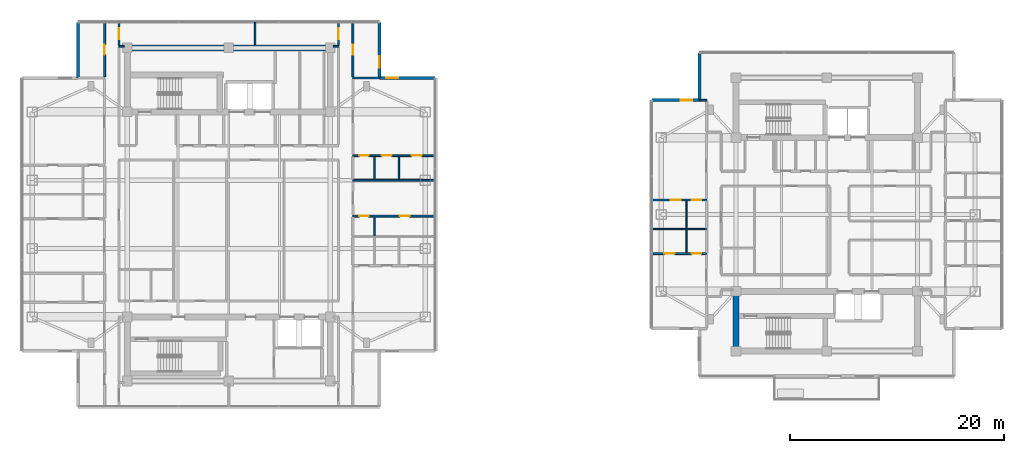
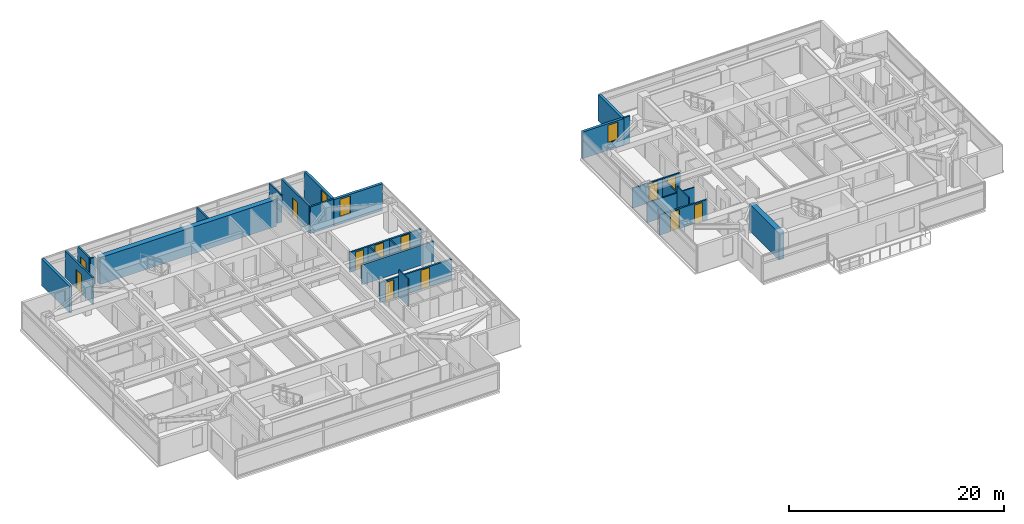
# One storey, part 14 of 23: 27 walls, 13 doors, 3 windows, 16 openings.
"""IFC4 building model written with IfcOpenShell, lengths in metres."""

from ifc_helpers import new_model, si_unit, direction, frame, frame_2d, origin, place, context, subcontext, project, spatial, rectangle, extrude, material, layer, layer_set, type_object, element, fill, save


model = new_model("IFC4")

# Units and contexts
model_context = context("Model", 3, precision=1e-05, world=origin(), true_north=direction((0.0, 1.0)))
body_context = subcontext(model_context, "Body", "Model", "MODEL_VIEW")
ifc_project = project(units=[si_unit("LENGTHUNIT", "METRE"), si_unit("AREAUNIT", "SQUARE_METRE"), si_unit("VOLUMEUNIT", "CUBIC_METRE"), si_unit("PLANEANGLEUNIT", "RADIAN"), si_unit("MASSUNIT", "GRAM", prefix="KILO")], contexts=[model_context])

# Site, building, storey
site_placement = place(None, origin())
site = spatial("IfcSite", under=ifc_project, at=site_placement, CompositionType="ELEMENT")
building_placement = place(site_placement, origin())
building = spatial("IfcBuilding", under=site, at=building_placement, Name="Mirazonda Arch Towers", CompositionType="ELEMENT")
storey_placement = place(building_placement, frame((0.0, 0.0, 183.64990234375)))
storey = spatial("IfcBuildingStorey", under=building, at=storey_placement, Name="L52", CompositionType="ELEMENT", Elevation=183.64990234375)

# Walls
ifc_material_1 = material(Name="Concrete C50/60", Category="concrete")
ifc_layer_1 = layer(ifc_material_1, 0.550048828125, Name="WALL-CORE-550")
ifc_layer_set_1 = layer_set([ifc_layer_1], Name="Concrete C50/60")
wall_type_1 = type_object("IfcWallType", Name="WALL-CORE-550", PredefinedType="SHEAR", material=ifc_layer_set_1)
wall_1_placement = place(storey_placement, frame((11.0, 43.60009765625, 0.0), z_axis=(0.0, 0.0, 1.0), x_axis=(1.0, 0.0, 0.0)))
element("IfcWall", 1, at=wall_1_placement, inside=storey, type_object=wall_type_1, Name="L52 T1N-N Core Shear Wall", PredefinedType="SHEAR", context=body_context, shape_type="SweptSolid", body=[
    extrude(rectangle(XDim=19.0, YDim=0.550048828125, at=frame_2d((9.5, 0.0))), origin(), (0.0, 0.0, 1.0), 3.050048828125),
])
wall_2_placement = place(storey_placement, frame((68.0, 15.199951171875, 0.0), z_axis=(0.0, 0.0, 1.0), x_axis=(0.0, 1.0, 0.0)))
element("IfcWall", 2, at=wall_2_placement, inside=storey, type_object=wall_type_1, Name="L52 T2S-W Core Shear Wall", PredefinedType="SHEAR", context=body_context, shape_type="SweptSolid", body=[
    extrude(rectangle(XDim=5.60009765625, YDim=0.550048828125, at=frame_2d((2.800048828125, 0.0))), origin(), (0.0, 0.0, 1.0), 3.050048828125),
])

# Wall, opening, window
ifc_material_2 = material(Name="Precast Concrete C40/50", Category="concrete")
ifc_layer_2 = layer(ifc_material_2, 0.280029296875, Name="WALL-EXT-WALL-280")
ifc_layer_set_2 = layer_set([ifc_layer_2], Name="Precast Concrete C40/50")
wall_type_2 = type_object("IfcWallType", Name="WALL-EXT-WALL-280", PredefinedType="SOLIDWALL", material=ifc_layer_set_2)
wall_3_placement = place(storey_placement, frame((34.614990234375, 40.77490234375, 0.0), z_axis=(0.0, 0.0, 1.0), x_axis=(0.0, 1.0, 0.0)))
wall_3 = element("IfcWall", 3, at=wall_3_placement, inside=storey, type_object=wall_type_2, Name="L52 T1 Notched NE Corner Wall WL-L52-T1-CNE", PredefinedType="SOLIDWALL", context=body_context, shape_type="SweptSolid", body=[
    extrude(rectangle(XDim=5.215087890625, YDim=0.280029296875, at=frame_2d((2.607421875, 0.0))), origin(), (0.0, 0.0, 1.0), 3.030029296875),
])
opening_1_placement = place(wall_3_placement, frame((0.949951171875, 0.0, 0.85009765625)))
opening_1 = element("IfcOpeningElement", 4, at=opening_1_placement, cuts=wall_3, Name="Opening WN-108", PredefinedType="OPENING", context=body_context, shape_type="SweptSolid", body=[
    extrude(rectangle(XDim=1.10009765625, YDim=2.0, at=frame_2d((0.550048828125, 1.0))), frame((0.0, 0.14990234375, 0.0), z_axis=(0.0, -1.0, 0.0), x_axis=(1.0, 0.0, 0.0)), (0.0, 0.0, 1.0), 0.300048828125),
])
ifc_material_3 = material(Name="Insulated Low-E Solar Glass", Category="glass")
window_type = type_object("IfcWindowType", Name="WIN-NOTCH-1100x2000", PartitioningType="SINGLE_PANEL", PredefinedType="WINDOW", material=ifc_material_3)
window_1_placement = place(opening_1_placement, origin())
window_1 = element("IfcWindow", 5, at=window_1_placement, inside=storey, type_object=window_type, Name="L52 Punched Facade Window WN-L52-T1-CNE", OverallHeight=2.0, OverallWidth=1.10009765625, PartitioningType="SINGLE_PANEL", PredefinedType="WINDOW", context=body_context, shape_type="SweptSolid", body=[
    extrude(rectangle(XDim=1.10009765625, YDim=2.0, at=frame_2d((0.550048828125, 1.0))), frame((0.0, 0.030029296875, 0.0), z_axis=(0.0, -1.0, 0.0), x_axis=(1.0, 0.0, 0.0)), (0.0, 0.0, 1.0), 0.06005859375),
])
fill(opening_1, window_1)

# Wall
wall_4_placement = place(storey_placement, frame((6.385009765625, 45.989990234375, 0.0), z_axis=(0.0, 0.0, 1.0), x_axis=(0.0, -1.0, 0.0)))
element("IfcWall", 6, at=wall_4_placement, inside=storey, type_object=wall_type_2, Name="L52 T1 Corner Notch Return Wall WL-L52-T1-CNW2", PredefinedType="SOLIDWALL", context=body_context, shape_type="SweptSolid", body=[
    extrude(rectangle(XDim=5.215087890625, YDim=0.280029296875, at=frame_2d((2.607421875, 0.0))), origin(), (0.0, 0.0, 1.0), 3.030029296875),
])

# Wall, opening, window
wall_5_placement = place(storey_placement, frame((39.830078125, 40.77490234375, 0.0), z_axis=(0.0, 0.0, 1.0), x_axis=(-1.0, 0.0, 0.0)))
wall_5 = element("IfcWall", 7, at=wall_5_placement, inside=storey, type_object=wall_type_2, Name="L52 T1 Corner Notch Return Wall WL-L52-T1-CNE2", PredefinedType="SOLIDWALL", context=body_context, shape_type="SweptSolid", body=[
    extrude(rectangle(XDim=5.215087890625, YDim=0.280029296875, at=frame_2d((2.607421875, 0.0))), origin(), (0.0, 0.0, 1.0), 3.030029296875),
])
opening_2_placement = place(wall_5_placement, frame((3.465087890625, 0.0, 0.85009765625)))
opening_2 = element("IfcOpeningElement", 8, at=opening_2_placement, cuts=wall_5, Name="Opening WN-108", PredefinedType="OPENING", context=body_context, shape_type="SweptSolid", body=[
    extrude(rectangle(XDim=1.10009765625, YDim=2.0, at=frame_2d((0.550048828125, 1.0))), frame((0.0, 0.14990234375, 0.0), z_axis=(0.0, -1.0, 0.0), x_axis=(1.0, 0.0, 0.0)), (0.0, 0.0, 1.0), 0.300048828125),
])
window_2_placement = place(opening_2_placement, origin())
window_2 = element("IfcWindow", 9, at=window_2_placement, inside=storey, type_object=window_type, Name="L52 Punched Facade Window WN-L52-T1-CNE2", OverallHeight=2.0, OverallWidth=1.10009765625, PartitioningType="SINGLE_PANEL", PredefinedType="WINDOW", context=body_context, shape_type="SweptSolid", body=[
    extrude(rectangle(XDim=1.10009765625, YDim=2.0, at=frame_2d((0.550048828125, 1.0))), frame((0.0, 0.030029296875, 0.0), z_axis=(0.0, -1.0, 0.0), x_axis=(1.0, 0.0, 0.0)), (0.0, 0.0, 1.0), 0.06005859375),
])
fill(opening_2, window_2)

wall_6_placement = place(storey_placement, frame((64.562255859375, 38.69873046875, 0.0), z_axis=(0.0, 0.0, 1.0), x_axis=(-1.0, 0.0, 0.0)))
wall_6 = element("IfcWall", 10, at=wall_6_placement, inside=storey, type_object=wall_type_2, Name="L52 T2 Corner Notch Return Wall WL-L52-T2-CNW1", PredefinedType="SOLIDWALL", context=body_context, shape_type="SweptSolid", body=[
    extrude(rectangle(XDim=4.439697265625, YDim=0.280029296875, at=frame_2d((2.2197265625, 0.0))), origin(), (0.0, 0.0, 1.0), 3.030029296875),
])
opening_3_placement = place(wall_6_placement, frame((0.64990234375, 0.0, 0.85009765625)))
opening_3 = element("IfcOpeningElement", 11, at=opening_3_placement, cuts=wall_6, Name="Opening WN-108", PredefinedType="OPENING", context=body_context, shape_type="SweptSolid", body=[
    extrude(rectangle(XDim=1.10009765625, YDim=2.0, at=frame_2d((0.550048828125, 1.0))), frame((0.0, 0.14990234375, 0.0), z_axis=(0.0, -1.0, 0.0), x_axis=(1.0, 0.0, 0.0)), (0.0, 0.0, 1.0), 0.300048828125),
])
window_3_placement = place(opening_3_placement, origin())
window_3 = element("IfcWindow", 12, at=window_3_placement, inside=storey, type_object=window_type, Name="L52 Punched Facade Window WN-L52-T2-CNW1", OverallHeight=2.0, OverallWidth=1.10009765625, PartitioningType="SINGLE_PANEL", PredefinedType="WINDOW", context=body_context, shape_type="SweptSolid", body=[
    extrude(rectangle(XDim=1.10009765625, YDim=2.0, at=frame_2d((0.550048828125, 1.0))), frame((0.0, 0.030029296875, 0.0), z_axis=(0.0, -1.0, 0.0), x_axis=(1.0, 0.0, 0.0)), (0.0, 0.0, 1.0), 0.06005859375),
])
fill(opening_3, window_3)

# Wall
wall_7_placement = place(storey_placement, frame((64.562255859375, 43.138427734375, 0.0), z_axis=(0.0, 0.0, 1.0), x_axis=(0.0, -1.0, 0.0)))
element("IfcWall", 13, at=wall_7_placement, inside=storey, type_object=wall_type_2, Name="L52 T2 Corner Notch Return Wall WL-L52-T2-CNW2", PredefinedType="SOLIDWALL", context=body_context, shape_type="SweptSolid", body=[
    extrude(rectangle(XDim=4.439697265625, YDim=0.280029296875, at=frame_2d((2.2197265625, 0.0))), origin(), (0.0, 0.0, 1.0), 3.030029296875),
])

# Wall, openings, doors
ifc_material_4 = material(Name="Fire-Rated Gypsum Stud Partition")
ifc_layer_3 = layer(ifc_material_4, 0.14990234375, Name="WALL-PART-CORR-150")
ifc_layer_set_3 = layer_set([ifc_layer_3], Name="Fire-Rated Gypsum Stud Partition")
wall_type_3 = type_object("IfcWallType", Name="WALL-PART-CORR-150", PredefinedType="PARTITIONING", material=ifc_layer_set_3)
wall_8_placement = place(storey_placement, frame((60.123046875, 29.35205078125, 0.0), z_axis=(0.0, 0.0, 1.0), x_axis=(1.0, 0.0, 0.0)))
wall_8 = element("IfcWall", 14, at=wall_8_placement, inside=storey, type_object=wall_type_3, Name="L52 Interior Partition 036", PredefinedType="PARTITIONING", context=body_context, shape_type="SweptSolid", body=[
    extrude(rectangle(XDim=5.126953125, YDim=0.14990234375, at=frame_2d((2.5634765625, 0.0))), origin(), (0.0, 0.0, 1.0), 2.26904296875),
])
opening_4_placement = place(wall_8_placement, frame((1.7685546875, 0.0, 0.0)))
opening_4 = element("IfcOpeningElement", 15, at=opening_4_placement, cuts=wall_8, Name="Opening DR-104", PredefinedType="OPENING", context=body_context, shape_type="SweptSolid", body=[
    extrude(rectangle(XDim=0.949951171875, YDim=2.14990234375, at=frame_2d((0.47509765625, 1.074951171875))), frame((0.0, 0.0849609375, 0.0), z_axis=(0.0, -1.0, 0.0), x_axis=(1.0, 0.0, 0.0)), (0.0, 0.0, 1.0), 0.169921875),
])
opening_5_placement = place(wall_8_placement, frame((3.717041015625, 0.0, 0.0)))
opening_5 = element("IfcOpeningElement", 16, at=opening_5_placement, cuts=wall_8, Name="Opening DR-120", PredefinedType="OPENING", context=body_context, shape_type="SweptSolid", body=[
    extrude(rectangle(XDim=0.89990234375, YDim=2.10009765625, at=frame_2d((0.449951171875, 1.050048828125))), frame((0.0, 0.0849609375, 0.0), z_axis=(0.0, -1.0, 0.0), x_axis=(1.0, 0.0, 0.0)), (0.0, 0.0, 1.0), 0.169921875),
])
ifc_material_5 = material(Name="Architectural Brushed Steel S355", Category="steel")
door_type_1 = type_object("IfcDoorType", Name="DOOR-ROOM-950", OperationType="NOTDEFINED", PredefinedType="DOOR", material=ifc_material_5)
door_1_placement = place(opening_4_placement, origin())
door_1 = element("IfcDoor", 17, at=door_1_placement, inside=storey, type_object=door_type_1, Name="L52 Studio 2 Galley Kitchen Door", OperationType="SINGLE_SWING_RIGHT", OverallHeight=2.14990234375, OverallWidth=0.949951171875, PredefinedType="DOOR", context=body_context, shape_type="SweptSolid", body=[
    extrude(rectangle(XDim=0.949951171875, YDim=2.14990234375, at=frame_2d((0.47509765625, 1.074951171875))), frame((0.0, 0.02490234375, 0.0), z_axis=(0.0, -1.0, 0.0), x_axis=(1.0, 0.0, 0.0)), (0.0, 0.0, 1.0), 0.050048828125),
])
fill(opening_4, door_1)
door_type_2 = type_object("IfcDoorType", Name="DOOR-WC-900", OperationType="NOTDEFINED", PredefinedType="DOOR", material=ifc_material_5)
door_2_placement = place(opening_5_placement, origin())
door_2 = element("IfcDoor", 18, at=door_2_placement, inside=storey, type_object=door_type_2, Name="L52 Studio 2 Bathroom Door", OperationType="SINGLE_SWING_LEFT", OverallHeight=2.10009765625, OverallWidth=0.89990234375, PredefinedType="DOOR", context=body_context, shape_type="SweptSolid", body=[
    extrude(rectangle(XDim=0.89990234375, YDim=2.10009765625, at=frame_2d((0.449951171875, 1.050048828125))), frame((0.0, 0.02490234375, 0.0), z_axis=(0.0, -1.0, 0.0), x_axis=(1.0, 0.0, 0.0)), (0.0, 0.0, 1.0), 0.050048828125),
])
fill(opening_5, door_2)

# Walls
wall_9_placement = place(storey_placement, frame((64.582275390625, 38.698974609375, 0.0), z_axis=(0.0, 0.0, 1.0), x_axis=(1.0, 0.0, 0.0)))
element("IfcWall", 19, at=wall_9_placement, inside=storey, type_object=wall_type_3, Name="L52 Interior Partition 054", PredefinedType="PARTITIONING", context=body_context, shape_type="SweptSolid", body=[
    extrude(rectangle(XDim=0.667724609375, YDim=0.14990234375, at=frame_2d((0.333984375, 0.0))), origin(), (0.0, 0.0, 1.0), 3.050048828125),
])
for number, where, z_axis, x_axis, name in (
    (20, (10.219970703125, 43.75, 0.0), (0.0, 0.0, 1.0), (1.0, 0.0, 0.0), "L52 Interior Partition 059"),
    (21, (30.27001953125, 43.75, 0.0), (0.0, 0.0, 1.0), (1.0, 0.0, 0.0), "L52 Interior Partition 060"),
):
    element("IfcWall", number, at=place(storey_placement, frame(where, z_axis=z_axis, x_axis=x_axis)), inside=storey, type_object=wall_type_3, Name=name, PredefinedType="PARTITIONING", context=body_context, shape_type="SweptSolid", body=[
        extrude(rectangle(XDim=0.510009765625, YDim=0.14990234375, at=frame_2d((0.2548828125, 0.0))), origin(), (0.0, 0.0, 1.0), 3.050048828125),
    ])

# Wall, opening, door
wall_10_placement = place(storey_placement, frame((10.219970703125, 43.8349609375, 0.0), z_axis=(0.0, 0.0, 1.0), x_axis=(0.0, 1.0, 0.0)))
wall_10 = element("IfcWall", 22, at=wall_10_placement, inside=storey, type_object=wall_type_3, Name="L52 Interior Partition 077", PredefinedType="PARTITIONING", context=body_context, shape_type="SweptSolid", body=[
    extrude(rectangle(XDim=2.155029296875, YDim=0.14990234375, at=frame_2d((1.07763671875, 0.0))), origin(), (0.0, 0.0, 1.0), 3.050048828125),
])
opening_6_placement = place(wall_10_placement, frame((0.552490234375, 0.0, 0.0)))
opening_6 = element("IfcOpeningElement", 23, at=opening_6_placement, cuts=wall_10, Name="Opening DR-121", PredefinedType="OPENING", context=body_context, shape_type="SweptSolid", body=[
    extrude(rectangle(XDim=1.050048828125, YDim=2.199951171875, at=frame_2d((0.52490234375, 1.10009765625))), frame((0.0, 0.0849609375, 0.0), z_axis=(0.0, -1.0, 0.0), x_axis=(1.0, 0.0, 0.0)), (0.0, 0.0, 1.0), 0.169921875),
])
door_type_3 = type_object("IfcDoorType", Name="DOOR-SUITE-FD60-1050", OperationType="NOTDEFINED", PredefinedType="DOOR", material=ifc_material_5)
door_3_placement = place(opening_6_placement, origin())
door_3 = element("IfcDoor", 24, at=door_3_placement, inside=storey, type_object=door_type_3, Name="L52 North Bay Sunroom West Door", OperationType="SINGLE_SWING_LEFT", OverallHeight=2.199951171875, OverallWidth=1.050048828125, PredefinedType="DOOR", context=body_context, shape_type="SweptSolid", body=[
    extrude(rectangle(XDim=1.050048828125, YDim=2.199951171875, at=frame_2d((0.52490234375, 1.10009765625))), frame((0.0, 0.02490234375, 0.0), z_axis=(0.0, -1.0, 0.0), x_axis=(1.0, 0.0, 0.0)), (0.0, 0.0, 1.0), 0.050048828125),
])
fill(opening_6, door_3)

# Wall
wall_11_placement = place(storey_placement, frame((22.967041015625, 43.8701171875, 0.0), z_axis=(0.0, 0.0, 1.0), x_axis=(0.0, 1.0, 0.0)))
element("IfcWall", 25, at=wall_11_placement, inside=storey, type_object=wall_type_3, Name="L52 Interior Partition 091", PredefinedType="PARTITIONING", context=body_context, shape_type="SweptSolid", body=[
    extrude(rectangle(XDim=2.119873046875, YDim=0.14990234375, at=frame_2d((1.06005859375, 0.0))), origin(), (0.0, 0.0, 1.0), 3.050048828125),
])

# Wall, opening, door
wall_12_placement = place(storey_placement, frame((30.780029296875, 43.8349609375, 0.0), z_axis=(0.0, 0.0, 1.0), x_axis=(0.0, 1.0, 0.0)))
wall_12 = element("IfcWall", 26, at=wall_12_placement, inside=storey, type_object=wall_type_3, Name="L52 Interior Partition 108", PredefinedType="PARTITIONING", context=body_context, shape_type="SweptSolid", body=[
    extrude(rectangle(XDim=2.155029296875, YDim=0.14990234375, at=frame_2d((1.07763671875, 0.0))), origin(), (0.0, 0.0, 1.0), 3.050048828125),
])
opening_7_placement = place(wall_12_placement, frame((0.552490234375, 0.0, 0.0)))
opening_7 = element("IfcOpeningElement", 27, at=opening_7_placement, cuts=wall_12, Name="Opening DR-121", PredefinedType="OPENING", context=body_context, shape_type="SweptSolid", body=[
    extrude(rectangle(XDim=1.050048828125, YDim=2.199951171875, at=frame_2d((0.52490234375, 1.10009765625))), frame((0.0, 0.0849609375, 0.0), z_axis=(0.0, -1.0, 0.0), x_axis=(1.0, 0.0, 0.0)), (0.0, 0.0, 1.0), 0.169921875),
])
door_4_placement = place(opening_7_placement, origin())
door_4 = element("IfcDoor", 28, at=door_4_placement, inside=storey, type_object=door_type_3, Name="L52 North Bay Sunroom East Door", OperationType="SINGLE_SWING_RIGHT", OverallHeight=2.199951171875, OverallWidth=1.050048828125, PredefinedType="DOOR", context=body_context, shape_type="SweptSolid", body=[
    extrude(rectangle(XDim=1.050048828125, YDim=2.199951171875, at=frame_2d((0.52490234375, 1.10009765625))), frame((0.0, 0.02490234375, 0.0), z_axis=(0.0, -1.0, 0.0), x_axis=(1.0, 0.0, 0.0)), (0.0, 0.0, 1.0), 0.050048828125),
])
fill(opening_7, door_4)

# Wall, openings, doors
ifc_material_6 = material(Name="Fire-Rated Gypsum Twin-Stud Assembly")
ifc_layer_4 = layer(ifc_material_6, 0.179931640625, Name="WALL-PART-DEMISE-180")
ifc_layer_set_4 = layer_set([ifc_layer_4], Name="Fire-Rated Gypsum Twin-Stud Assembly")
wall_type_4 = type_object("IfcWallType", Name="WALL-PART-DEMISE-180", PredefinedType="PARTITIONING", material=ifc_layer_set_4)
wall_13_placement = place(storey_placement, frame((60.123046875, 24.33203125, 0.0), z_axis=(0.0, 0.0, 1.0), x_axis=(1.0, 0.0, 0.0)))
wall_13 = element("IfcWall", 29, at=wall_13_placement, inside=storey, type_object=wall_type_4, Name="L52 Interior Partition 026", PredefinedType="PARTITIONING", context=body_context, shape_type="SweptSolid", body=[
    extrude(rectangle(XDim=5.126953125, YDim=0.179931640625, at=frame_2d((2.5634765625, 0.0))), origin(), (0.0, 0.0, 1.0), 2.26904296875),
])
opening_8_placement = place(wall_13_placement, frame((1.16845703125, 0.0, 0.0)))
opening_8 = element("IfcOpeningElement", 30, at=opening_8_placement, cuts=wall_13, Name="Opening DR-104", PredefinedType="OPENING", context=body_context, shape_type="SweptSolid", body=[
    extrude(rectangle(XDim=0.949951171875, YDim=2.14990234375, at=frame_2d((0.47509765625, 1.074951171875))), frame((0.0, 0.099853515625, 0.0), z_axis=(0.0, -1.0, 0.0), x_axis=(1.0, 0.0, 0.0)), (0.0, 0.0, 1.0), 0.199951171875),
])
opening_9_placement = place(wall_13_placement, frame((3.717041015625, 0.0, 0.0)))
opening_9 = element("IfcOpeningElement", 31, at=opening_9_placement, cuts=wall_13, Name="Opening DR-120", PredefinedType="OPENING", context=body_context, shape_type="SweptSolid", body=[
    extrude(rectangle(XDim=0.89990234375, YDim=2.10009765625, at=frame_2d((0.449951171875, 1.050048828125))), frame((0.0, 0.099853515625, 0.0), z_axis=(0.0, -1.0, 0.0), x_axis=(1.0, 0.0, 0.0)), (0.0, 0.0, 1.0), 0.199951171875),
])
door_5_placement = place(opening_8_placement, origin())
door_5 = element("IfcDoor", 32, at=door_5_placement, inside=storey, type_object=door_type_1, Name="L52 Studio 1 Galley Kitchen Door", OperationType="SINGLE_SWING_LEFT", OverallHeight=2.14990234375, OverallWidth=0.949951171875, PredefinedType="DOOR", context=body_context, shape_type="SweptSolid", body=[
    extrude(rectangle(XDim=0.949951171875, YDim=2.14990234375, at=frame_2d((0.47509765625, 1.074951171875))), frame((0.0, 0.02490234375, 0.0), z_axis=(0.0, -1.0, 0.0), x_axis=(1.0, 0.0, 0.0)), (0.0, 0.0, 1.0), 0.050048828125),
])
fill(opening_8, door_5)
door_6_placement = place(opening_9_placement, origin())
door_6 = element("IfcDoor", 33, at=door_6_placement, inside=storey, type_object=door_type_2, Name="L52 Studio 1 Bathroom Door", OperationType="SINGLE_SWING_RIGHT", OverallHeight=2.10009765625, OverallWidth=0.89990234375, PredefinedType="DOOR", context=body_context, shape_type="SweptSolid", body=[
    extrude(rectangle(XDim=0.89990234375, YDim=2.10009765625, at=frame_2d((0.449951171875, 1.050048828125))), frame((0.0, 0.02490234375, 0.0), z_axis=(0.0, -1.0, 0.0), x_axis=(1.0, 0.0, 0.0)), (0.0, 0.0, 1.0), 0.050048828125),
])
fill(opening_9, door_6)

wall_14_placement = place(storey_placement, frame((32.1201171875, 27.85009765625, 0.0), z_axis=(0.0, 0.0, 1.0), x_axis=(1.0, 0.0, 0.0)))
wall_14 = element("IfcWall", 34, at=wall_14_placement, inside=storey, type_object=wall_type_4, Name="L52 Interior Partition 035", PredefinedType="PARTITIONING", context=body_context, shape_type="SweptSolid", body=[
    extrude(rectangle(XDim=7.7099609375, YDim=0.179931640625, at=frame_2d((3.85498046875, 0.0))), origin(), (0.0, 0.0, 1.0), 2.26904296875),
])
opening_10_placement = place(wall_14_placement, frame((4.3798828125, 0.0, 0.0)))
opening_10 = element("IfcOpeningElement", 35, at=opening_10_placement, cuts=wall_14, Name="Opening DR-104", PredefinedType="OPENING", context=body_context, shape_type="SweptSolid", body=[
    extrude(rectangle(XDim=0.949951171875, YDim=2.14990234375, at=frame_2d((0.47509765625, 1.074951171875))), frame((0.0, 0.099853515625, 0.0), z_axis=(0.0, -1.0, 0.0), x_axis=(1.0, 0.0, 0.0)), (0.0, 0.0, 1.0), 0.199951171875),
])
opening_11_placement = place(wall_14_placement, frame((0.590087890625, 0.0, 0.0)))
opening_11 = element("IfcOpeningElement", 36, at=opening_11_placement, cuts=wall_14, Name="Opening DR-120", PredefinedType="OPENING", context=body_context, shape_type="SweptSolid", body=[
    extrude(rectangle(XDim=0.89990234375, YDim=2.10009765625, at=frame_2d((0.449951171875, 1.050048828125))), frame((0.0, 0.099853515625, 0.0), z_axis=(0.0, -1.0, 0.0), x_axis=(1.0, 0.0, 0.0)), (0.0, 0.0, 1.0), 0.199951171875),
])
door_7_placement = place(opening_10_placement, origin())
door_7 = element("IfcDoor", 37, at=door_7_placement, inside=storey, type_object=door_type_1, Name="L52 Studio 2 Galley Kitchen Door", OperationType="SINGLE_SWING_RIGHT", OverallHeight=2.14990234375, OverallWidth=0.949951171875, PredefinedType="DOOR", context=body_context, shape_type="SweptSolid", body=[
    extrude(rectangle(XDim=0.949951171875, YDim=2.14990234375, at=frame_2d((0.47509765625, 1.074951171875))), frame((0.0, 0.02490234375, 0.0), z_axis=(0.0, -1.0, 0.0), x_axis=(1.0, 0.0, 0.0)), (0.0, 0.0, 1.0), 0.050048828125),
])
fill(opening_10, door_7)
door_8_placement = place(opening_11_placement, origin())
door_8 = element("IfcDoor", 38, at=door_8_placement, inside=storey, type_object=door_type_2, Name="L52 Studio 2 Bathroom Door", OperationType="SINGLE_SWING_LEFT", OverallHeight=2.10009765625, OverallWidth=0.89990234375, PredefinedType="DOOR", context=body_context, shape_type="SweptSolid", body=[
    extrude(rectangle(XDim=0.89990234375, YDim=2.10009765625, at=frame_2d((0.449951171875, 1.050048828125))), frame((0.0, 0.02490234375, 0.0), z_axis=(0.0, -1.0, 0.0), x_axis=(1.0, 0.0, 0.0)), (0.0, 0.0, 1.0), 0.050048828125),
])
fill(opening_11, door_8)

# Wall
wall_15_placement = place(storey_placement, frame((32.1201171875, 31.199951171875, 0.0), z_axis=(0.0, 0.0, 1.0), x_axis=(1.0, 0.0, 0.0)))
element("IfcWall", 39, at=wall_15_placement, inside=storey, type_object=wall_type_4, Name="L52 Interior Partition 041", PredefinedType="PARTITIONING", context=body_context, shape_type="SweptSolid", body=[
    extrude(rectangle(XDim=7.7099609375, YDim=0.179931640625, at=frame_2d((3.85498046875, 0.0))), origin(), (0.0, 0.0, 1.0), 2.26904296875),
])

# Wall, openings, doors
wall_16_placement = place(storey_placement, frame((32.1201171875, 33.5, 0.0), z_axis=(0.0, 0.0, 1.0), x_axis=(1.0, 0.0, 0.0)))
wall_16 = element("IfcWall", 40, at=wall_16_placement, inside=storey, type_object=wall_type_4, Name="L52 Interior Partition 047", PredefinedType="PARTITIONING", context=body_context, shape_type="SweptSolid", body=[
    extrude(rectangle(XDim=7.7099609375, YDim=0.179931640625, at=frame_2d((3.85498046875, 0.0))), origin(), (0.0, 0.0, 1.0), 2.26904296875),
])
opening_12_placement = place(wall_16_placement, frame((5.513916015625, 0.0, 0.0)))
opening_12 = element("IfcOpeningElement", 41, at=opening_12_placement, cuts=wall_16, Name="Opening DR-104", PredefinedType="OPENING", context=body_context, shape_type="SweptSolid", body=[
    extrude(rectangle(XDim=0.949951171875, YDim=2.14990234375, at=frame_2d((0.47509765625, 1.074951171875))), frame((0.0, 0.099853515625, 0.0), z_axis=(0.0, -1.0, 0.0), x_axis=(1.0, 0.0, 0.0)), (0.0, 0.0, 1.0), 0.199951171875),
])
opening_13_placement = place(wall_16_placement, frame((2.698974609375, 0.0, 0.0)))
opening_13 = element("IfcOpeningElement", 42, at=opening_13_placement, cuts=wall_16, Name="Opening DR-104", PredefinedType="OPENING", context=body_context, shape_type="SweptSolid", body=[
    extrude(rectangle(XDim=0.949951171875, YDim=2.14990234375, at=frame_2d((0.47509765625, 1.074951171875))), frame((0.0, 0.099853515625, 0.0), z_axis=(0.0, -1.0, 0.0), x_axis=(1.0, 0.0, 0.0)), (0.0, 0.0, 1.0), 0.199951171875),
])
opening_14_placement = place(wall_16_placement, frame((0.590087890625, 0.0, 0.0)))
opening_14 = element("IfcOpeningElement", 43, at=opening_14_placement, cuts=wall_16, Name="Opening DR-120", PredefinedType="OPENING", context=body_context, shape_type="SweptSolid", body=[
    extrude(rectangle(XDim=0.89990234375, YDim=2.10009765625, at=frame_2d((0.449951171875, 1.050048828125))), frame((0.0, 0.099853515625, 0.0), z_axis=(0.0, -1.0, 0.0), x_axis=(1.0, 0.0, 0.0)), (0.0, 0.0, 1.0), 0.199951171875),
])
door_9_placement = place(opening_12_placement, origin())
door_9 = element("IfcDoor", 44, at=door_9_placement, inside=storey, type_object=door_type_1, Name="L52 Residence 3 Principal Bedroom Door", OperationType="SINGLE_SWING_LEFT", OverallHeight=2.14990234375, OverallWidth=0.949951171875, PredefinedType="DOOR", context=body_context, shape_type="SweptSolid", body=[
    extrude(rectangle(XDim=0.949951171875, YDim=2.14990234375, at=frame_2d((0.47509765625, 1.074951171875))), frame((0.0, 0.02490234375, 0.0), z_axis=(0.0, -1.0, 0.0), x_axis=(1.0, 0.0, 0.0)), (0.0, 0.0, 1.0), 0.050048828125),
])
fill(opening_12, door_9)
door_10_placement = place(opening_13_placement, origin())
door_10 = element("IfcDoor", 45, at=door_10_placement, inside=storey, type_object=door_type_1, Name="L52 Residence 3 Fitted Kitchen Door", OperationType="SINGLE_SWING_RIGHT", OverallHeight=2.14990234375, OverallWidth=0.949951171875, PredefinedType="DOOR", context=body_context, shape_type="SweptSolid", body=[
    extrude(rectangle(XDim=0.949951171875, YDim=2.14990234375, at=frame_2d((0.47509765625, 1.074951171875))), frame((0.0, 0.02490234375, 0.0), z_axis=(0.0, -1.0, 0.0), x_axis=(1.0, 0.0, 0.0)), (0.0, 0.0, 1.0), 0.050048828125),
])
fill(opening_13, door_10)
door_11_placement = place(opening_14_placement, origin())
door_11 = element("IfcDoor", 46, at=door_11_placement, inside=storey, type_object=door_type_2, Name="L52 Residence 3 Bathroom Door", OperationType="SINGLE_SWING_LEFT", OverallHeight=2.10009765625, OverallWidth=0.89990234375, PredefinedType="DOOR", context=body_context, shape_type="SweptSolid", body=[
    extrude(rectangle(XDim=0.89990234375, YDim=2.10009765625, at=frame_2d((0.449951171875, 1.050048828125))), frame((0.0, 0.02490234375, 0.0), z_axis=(0.0, -1.0, 0.0), x_axis=(1.0, 0.0, 0.0)), (0.0, 0.0, 1.0), 0.050048828125),
])
fill(opening_14, door_11)

# Wall
wall_17_placement = place(storey_placement, frame((32.1201171875, 40.77490234375, 0.0), z_axis=(0.0, 0.0, 1.0), x_axis=(1.0, 0.0, 0.0)))
element("IfcWall", 47, at=wall_17_placement, inside=storey, type_object=wall_type_4, Name="L52 Interior Partition 058", PredefinedType="PARTITIONING", context=body_context, shape_type="SweptSolid", body=[
    extrude(rectangle(XDim=2.474853515625, YDim=0.179931640625, at=frame_2d((1.2373046875, 0.0))), origin(), (0.0, 0.0, 1.0), 3.050048828125),
])

# Wall, opening, door
wall_18_placement = place(storey_placement, frame((8.8798828125, 40.875, 0.0), z_axis=(0.0, 0.0, 1.0), x_axis=(0.0, 1.0, 0.0)))
wall_18 = element("IfcWall", 48, at=wall_18_placement, inside=storey, type_object=wall_type_4, Name="L52 Interior Partition 071", PredefinedType="PARTITIONING", context=body_context, shape_type="SweptSolid", body=[
    extrude(rectangle(XDim=5.114990234375, YDim=0.179931640625, at=frame_2d((2.5576171875, 0.0))), origin(), (0.0, 0.0, 1.0), 3.050048828125),
])
opening_15_placement = place(wall_18_placement, frame((2.08251953125, 0.0, 0.0)))
opening_15 = element("IfcOpeningElement", 49, at=opening_15_placement, cuts=wall_18, Name="Opening DR-104", PredefinedType="OPENING", context=body_context, shape_type="SweptSolid", body=[
    extrude(rectangle(XDim=0.949951171875, YDim=2.14990234375, at=frame_2d((0.47509765625, 1.074951171875))), frame((0.0, 0.099853515625, 0.0), z_axis=(0.0, -1.0, 0.0), x_axis=(1.0, 0.0, 0.0)), (0.0, 0.0, 1.0), 0.199951171875),
])
door_12_placement = place(opening_15_placement, origin())
door_12 = element("IfcDoor", 50, at=door_12_placement, inside=storey, type_object=door_type_1, Name="L52 North Bay Sunroom Alcove West Door", OperationType="SINGLE_SWING_LEFT", OverallHeight=2.14990234375, OverallWidth=0.949951171875, PredefinedType="DOOR", context=body_context, shape_type="SweptSolid", body=[
    extrude(rectangle(XDim=0.949951171875, YDim=2.14990234375, at=frame_2d((0.47509765625, 1.074951171875))), frame((0.0, 0.02490234375, 0.0), z_axis=(0.0, -1.0, 0.0), x_axis=(1.0, 0.0, 0.0)), (0.0, 0.0, 1.0), 0.050048828125),
])
fill(opening_15, door_12)

wall_19_placement = place(storey_placement, frame((32.1201171875, 40.875, 0.0), z_axis=(0.0, 0.0, 1.0), x_axis=(0.0, 1.0, 0.0)))
wall_19 = element("IfcWall", 51, at=wall_19_placement, inside=storey, type_object=wall_type_4, Name="L52 Interior Partition 116", PredefinedType="PARTITIONING", context=body_context, shape_type="SweptSolid", body=[
    extrude(rectangle(XDim=5.114990234375, YDim=0.179931640625, at=frame_2d((2.5576171875, 0.0))), origin(), (0.0, 0.0, 1.0), 3.050048828125),
])
opening_16_placement = place(wall_19_placement, frame((2.08251953125, 0.0, 0.0)))
opening_16 = element("IfcOpeningElement", 52, at=opening_16_placement, cuts=wall_19, Name="Opening DR-104", PredefinedType="OPENING", context=body_context, shape_type="SweptSolid", body=[
    extrude(rectangle(XDim=0.949951171875, YDim=2.14990234375, at=frame_2d((0.47509765625, 1.074951171875))), frame((0.0, 0.099853515625, 0.0), z_axis=(0.0, -1.0, 0.0), x_axis=(1.0, 0.0, 0.0)), (0.0, 0.0, 1.0), 0.199951171875),
])
door_13_placement = place(opening_16_placement, origin())
door_13 = element("IfcDoor", 53, at=door_13_placement, inside=storey, type_object=door_type_1, Name="L52 North Bay Sunroom Alcove East Door", OperationType="SINGLE_SWING_RIGHT", OverallHeight=2.14990234375, OverallWidth=0.949951171875, PredefinedType="DOOR", context=body_context, shape_type="SweptSolid", body=[
    extrude(rectangle(XDim=0.949951171875, YDim=2.14990234375, at=frame_2d((0.47509765625, 1.074951171875))), frame((0.0, 0.02490234375, 0.0), z_axis=(0.0, -1.0, 0.0), x_axis=(1.0, 0.0, 0.0)), (0.0, 0.0, 1.0), 0.050048828125),
])
fill(opening_16, door_13)

# Walls
ifc_material_7 = material(Name="Acoustic Fire-Rated Gypsum Partition")
ifc_layer_5 = layer(ifc_material_7, 0.125, Name="WALL-PART-UNIT-125")
ifc_layer_set_5 = layer_set([ifc_layer_5], Name="Acoustic Fire-Rated Gypsum Partition")
wall_type_5 = type_object("IfcWallType", Name="WALL-PART-UNIT-125", PredefinedType="PARTITIONING", material=ifc_layer_set_5)
wall_20_placement = place(storey_placement, frame((60.123046875, 26.632080078125, 0.0), z_axis=(0.0, 0.0, 1.0), x_axis=(1.0, 0.0, 0.0)))
element("IfcWall", 54, at=wall_20_placement, inside=storey, type_object=wall_type_5, Name="L52 Interior Partition 031", PredefinedType="PARTITIONING", context=body_context, shape_type="SweptSolid", body=[
    extrude(rectangle(XDim=5.126953125, YDim=0.125, at=frame_2d((2.5634765625, 0.0))), origin(), (0.0, 0.0, 1.0), 2.26904296875),
])
wall_21_placement = place(storey_placement, frame((34.159912109375, 26.00244140625, 0.0), z_axis=(0.0, 0.0, 1.0), x_axis=(0.0, 1.0, 0.0)))
element("IfcWall", 55, at=wall_21_placement, inside=storey, type_object=wall_type_5, Name="L52 Interior Partition 118", PredefinedType="PARTITIONING", context=body_context, shape_type="SweptSolid", body=[
    extrude(rectangle(XDim=1.74755859375, YDim=0.125, at=frame_2d((0.873779296875, 0.0))), origin(), (0.0, 0.0, 1.0), 3.050048828125),
])
for number, where, z_axis, x_axis, name in (
    (56, (34.159912109375, 31.300048828125, 0.0), (0.0, 0.0, 1.0), (0.0, 1.0, 0.0), "L52 Interior Partition 119"),
    (57, (36.427978515625, 31.300048828125, 0.0), (0.0, 0.0, 1.0), (0.0, 1.0, 0.0), "L52 Interior Partition 121"),
):
    element("IfcWall", number, at=place(storey_placement, frame(where, z_axis=z_axis, x_axis=x_axis)), inside=storey, type_object=wall_type_5, Name=name, PredefinedType="PARTITIONING", context=body_context, shape_type="SweptSolid", body=[
        extrude(rectangle(XDim=2.099853515625, YDim=0.125, at=frame_2d((1.0498046875, 0.0))), origin(), (0.0, 0.0, 1.0), 2.34619140625),
    ])
wall_22_placement = place(storey_placement, frame((63.3701171875, 24.431884765625, 0.0), z_axis=(0.0, 0.0, 1.0), x_axis=(0.0, 1.0, 0.0)))
element("IfcWall", 58, at=wall_22_placement, inside=storey, type_object=wall_type_5, Name="L52 Interior Partition 122", PredefinedType="PARTITIONING", context=body_context, shape_type="SweptSolid", body=[
    extrude(rectangle(XDim=2.127685546875, YDim=0.125, at=frame_2d((1.06396484375, 0.0))), origin(), (0.0, 0.0, 1.0), 3.050048828125),
])
wall_23_placement = place(storey_placement, frame((63.3701171875, 26.70458984375, 0.0), z_axis=(0.0, 0.0, 1.0), x_axis=(0.0, 1.0, 0.0)))
element("IfcWall", 59, at=wall_23_placement, inside=storey, type_object=wall_type_5, Name="L52 Interior Partition 123", PredefinedType="PARTITIONING", context=body_context, shape_type="SweptSolid", body=[
    extrude(rectangle(XDim=2.5625, YDim=0.125, at=frame_2d((1.28125, 0.0))), origin(), (0.0, 0.0, 1.0), 2.34619140625),
])

save(model, "model.ifc")
